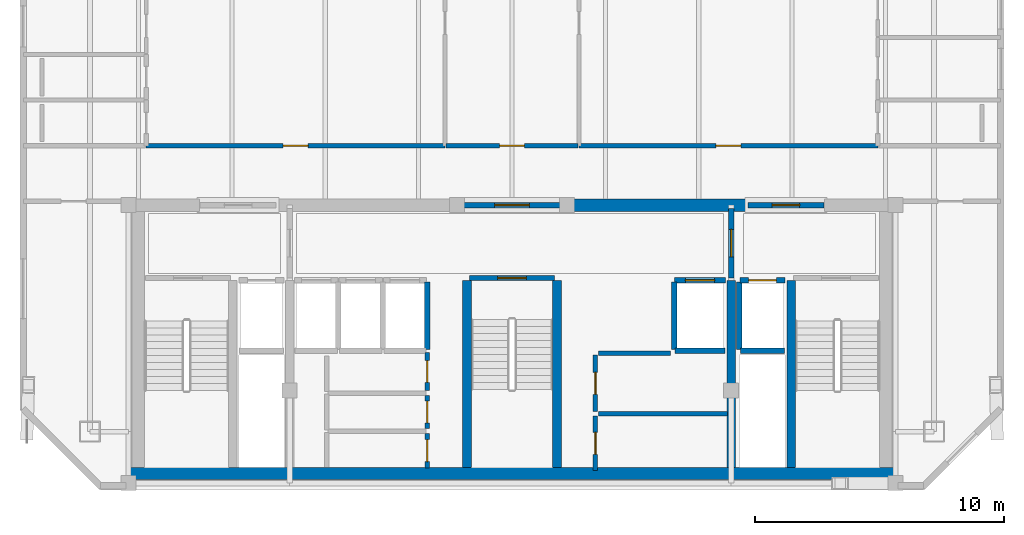
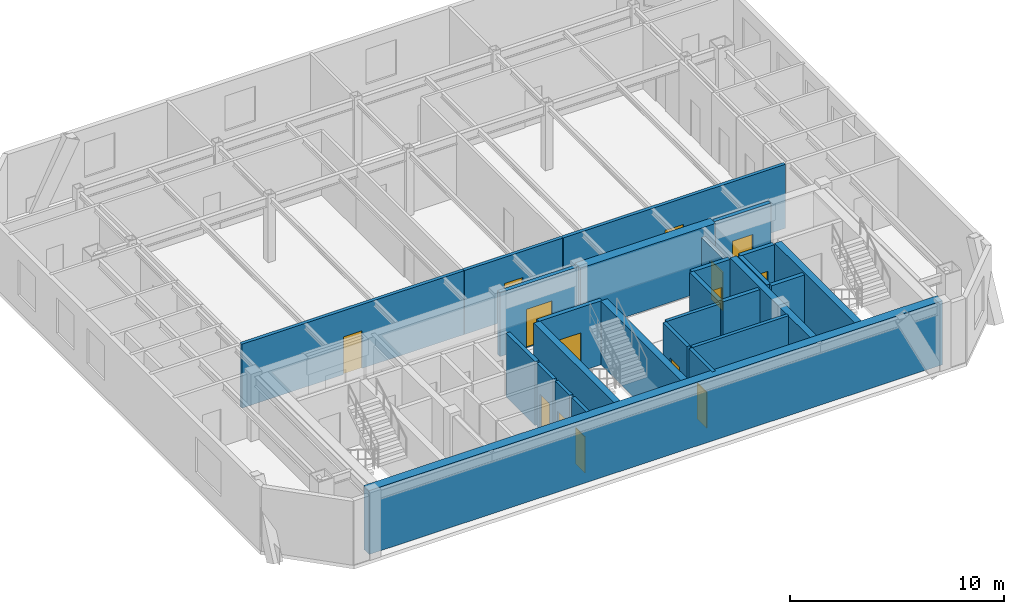
# One storey, part 3 of 7: 27 walls, 14 doors, 14 openings.
"""IFC4 building model written with IfcOpenShell, lengths in metres."""

from ifc_helpers import new_model, si_unit, direction, frame, frame_2d, origin, place, context, subcontext, project, spatial, rectangle, extrude, material, layer, layer_set, type_object, element, fill, save


model = new_model("IFC4")

# Units and contexts
model_context = context("Model", 3, precision=1e-05, world=origin(), true_north=direction((0.0, 1.0)))
body_context = subcontext(model_context, "Body", "Model", "MODEL_VIEW")
ifc_project = project(units=[si_unit("LENGTHUNIT", "METRE"), si_unit("AREAUNIT", "SQUARE_METRE"), si_unit("VOLUMEUNIT", "CUBIC_METRE"), si_unit("PLANEANGLEUNIT", "RADIAN"), si_unit("MASSUNIT", "GRAM", prefix="KILO")], contexts=[model_context])

# Site, building, storey
site_placement = place(None, origin())
site = spatial("IfcSite", under=ifc_project, at=site_placement, CompositionType="ELEMENT")
building_placement = place(site_placement, origin())
building = spatial("IfcBuilding", under=site, at=building_placement, Name="Ventersveld Concourse Tower", CompositionType="ELEMENT")
storey_placement = place(building_placement, frame((0.0, 0.0, 316.89990234375)))
storey = spatial("IfcBuildingStorey", under=building, at=storey_placement, Name="L78", CompositionType="ELEMENT", Elevation=316.89990234375)

# Walls
ifc_material_1 = material(Name="Concrete C50/60", Category="concrete")
ifc_layer_1 = layer(ifc_material_1, 0.35009765625)
ifc_layer_set_1 = layer_set([ifc_layer_1], Name="Concrete C50/60")
wall_type_1 = type_object("IfcWallType", Name="WL-CORE-350U", PredefinedType="SHEAR", material=ifc_layer_set_1)
for number, where, z_axis, x_axis, name in (
    (1, (26.93994140625, 0.919921875, 0.0), (0.0, 0.0, 1.0), (0.0, 1.0, 0.0), "L78 Core Internal Shear Web W-ST3-W"),
    (2, (30.56005859375, 0.919921875, 0.0), (0.0, 0.0, 1.0), (0.0, 1.0, 0.0), "L78 Core Internal Shear Web W-ST3-E"),
    (3, (37.550048828125, 0.919921875, 0.0), (0.0, 0.0, 1.0), (0.0, 1.0, 0.0), "L78 Core Internal Shear Web W-SVL-W"),
    (4, (39.9599609375, 0.919921875, 0.0), (0.0, 0.0, 1.0), (0.0, 1.0, 0.0), "L78 Core Internal Shear Web W-ST2-W"),
):
    element("IfcWall", number, at=place(storey_placement, frame(where, z_axis=z_axis, x_axis=x_axis)), inside=storey, type_object=wall_type_1, Name=name, PredefinedType="SHEAR", context=body_context, shape_type="SweptSolid", body=[
        extrude(rectangle(XDim=7.5, YDim=0.35009765625, at=frame_2d((3.75, 0.0))), origin(), (0.0, 0.0, 1.0), 3.650146484375),
    ])
ifc_layer_2 = layer(ifc_material_1, 0.5)
ifc_layer_set_2 = layer_set([ifc_layer_2], Name="Concrete C50/60")
wall_type_2 = type_object("IfcWallType", Name="WL-CORE-500", PredefinedType="SHEAR", material=ifc_layer_set_2)
wall_1_placement = place(storey_placement, frame((13.25, 0.669921875, 0.0), z_axis=(0.0, 0.0, 1.0), x_axis=(1.0, 0.0, 0.0)))
element("IfcWall", 5, at=wall_1_placement, inside=storey, type_object=wall_type_2, Name="L78 Rear Core South Shear Wall", PredefinedType="SHEAR", context=body_context, shape_type="SweptSolid", body=[
    extrude(rectangle(XDim=31.0, YDim=0.5, at=frame_2d((15.5, 0.0))), origin(), (0.0, 0.0, 1.0), 3.650146484375),
])
wall_2_placement = place(storey_placement, frame((30.89990234375, 11.449951171875, 0.0), z_axis=(0.0, 0.0, 1.0), x_axis=(1.0, 0.0, 0.0)))
element("IfcWall", 6, at=wall_2_placement, inside=storey, type_object=wall_type_2, Name="L78 Rear Core North Shear Wall NMR", PredefinedType="SHEAR", context=body_context, shape_type="SweptSolid", body=[
    extrude(rectangle(XDim=7.300048828125, YDim=0.5, at=frame_2d((3.64990234375, 0.0))), origin(), (0.0, 0.0, 1.0), 3.650146484375),
])

# Wall, opening, door
ifc_material_2 = material(Name="Fire-rated autoclaved aerated masonry blockwork", Category="masonry")
ifc_layer_3 = layer(ifc_material_2, 0.179931640625)
ifc_layer_set_3 = layer_set([ifc_layer_3], Name="Fire-rated autoclaved aerated masonry blockwork")
wall_type_3 = type_object("IfcWallType", Name="WL-CORR-180", PredefinedType="PARTITIONING", material=ifc_layer_set_3)
wall_3_placement = place(storey_placement, frame((25.35009765625, 0.89990234375, 0.0), z_axis=(0.0, 0.0, 1.0), x_axis=(0.0, 1.0, 0.0)))
wall_3 = element("IfcWall", 7, at=wall_3_placement, inside=storey, type_object=wall_type_3, Name="L78 Core Passage Wall SP-L78-RECB1S", PredefinedType="PARTITIONING", context=body_context, shape_type="SweptSolid", body=[
    extrude(rectangle(XDim=1.3701171875, YDim=0.179931640625, at=frame_2d((0.68505859375, 0.0))), origin(), (0.0, 0.0, 1.0), 3.650146484375),
])
opening_1_placement = place(wall_3_placement, frame((0.2451171875, 0.0, 0.0)))
opening_1 = element("IfcOpeningElement", 8, at=opening_1_placement, cuts=wall_3, Name="Opening FD5", PredefinedType="OPENING", context=body_context, shape_type="SweptSolid", body=[
    extrude(rectangle(XDim=0.8798828125, YDim=2.050048828125, at=frame_2d((0.43994140625, 1.02490234375))), frame((0.0, 0.10009765625, 0.0), z_axis=(0.0, -1.0, 0.0), x_axis=(1.0, 0.0, 0.0)), (0.0, 0.0, 1.0), 0.199951171875),
])
ifc_material_3 = material(Name="Galvanised painted steel", Category="steel")
door_type_1 = type_object("IfcDoorType", Name="DR-RISER-088", OperationType="NOTDEFINED", PredefinedType="DOOR", material=ifc_material_3)
door_1_placement = place(opening_1_placement, origin())
door_1 = element("IfcDoor", 9, at=door_1_placement, inside=storey, type_object=door_type_1, Name="L78 Core Room Door L78 Reclaimed Core Wine Cellar Store (CD-L78-3561)", OperationType="SINGLE_SWING_RIGHT", OverallHeight=2.050048828125, OverallWidth=0.8798828125, PredefinedType="DOOR", context=body_context, shape_type="SweptSolid", body=[
    extrude(rectangle(XDim=0.8798828125, YDim=2.050048828125, at=frame_2d((0.43994140625, 1.02490234375))), frame((0.0, 0.02490234375, 0.0), z_axis=(0.0, -1.0, 0.0), x_axis=(1.0, 0.0, 0.0)), (0.0, 0.0, 1.0), 0.050048828125),
])
fill(opening_1, door_1)

wall_4_placement = place(storey_placement, frame((25.35009765625, 2.469970703125, 0.0), z_axis=(0.0, 0.0, 1.0), x_axis=(0.0, 1.0, 0.0)))
wall_4 = element("IfcWall", 10, at=wall_4_placement, inside=storey, type_object=wall_type_3, Name="L78 Core Passage Wall SP-L78-RECB1M", PredefinedType="PARTITIONING", context=body_context, shape_type="SweptSolid", body=[
    extrude(rectangle(XDim=1.340087890625, YDim=0.179931640625, at=frame_2d((0.669921875, 0.0))), origin(), (0.0, 0.0, 1.0), 3.650146484375),
])
opening_2_placement = place(wall_4_placement, frame((0.22998046875, 0.0, 0.0)))
opening_2 = element("IfcOpeningElement", 11, at=opening_2_placement, cuts=wall_4, Name="Opening FD5", PredefinedType="OPENING", context=body_context, shape_type="SweptSolid", body=[
    extrude(rectangle(XDim=0.8798828125, YDim=2.050048828125, at=frame_2d((0.43994140625, 1.02490234375))), frame((0.0, 0.10009765625, 0.0), z_axis=(0.0, -1.0, 0.0), x_axis=(1.0, 0.0, 0.0)), (0.0, 0.0, 1.0), 0.199951171875),
])
door_2_placement = place(opening_2_placement, origin())
door_2 = element("IfcDoor", 12, at=door_2_placement, inside=storey, type_object=door_type_1, Name="L78 Core Room Door L78 Reclaimed Core Archive Store (CD-L78-3562)", OperationType="SINGLE_SWING_LEFT", OverallHeight=2.050048828125, OverallWidth=0.8798828125, PredefinedType="DOOR", context=body_context, shape_type="SweptSolid", body=[
    extrude(rectangle(XDim=0.8798828125, YDim=2.050048828125, at=frame_2d((0.43994140625, 1.02490234375))), frame((0.0, 0.02490234375, 0.0), z_axis=(0.0, -1.0, 0.0), x_axis=(1.0, 0.0, 0.0)), (0.0, 0.0, 1.0), 0.050048828125),
])
fill(opening_2, door_2)

wall_5_placement = place(storey_placement, frame((25.35009765625, 4.010009765625, 0.0), z_axis=(0.0, 0.0, 1.0), x_axis=(0.0, 1.0, 0.0)))
wall_5 = element("IfcWall", 13, at=wall_5_placement, inside=storey, type_object=wall_type_3, Name="L78 Core Passage Wall SP-L78-RECB1N", PredefinedType="PARTITIONING", context=body_context, shape_type="SweptSolid", body=[
    extrude(rectangle(XDim=1.510009765625, YDim=0.179931640625, at=frame_2d((0.7548828125, 0.0))), origin(), (0.0, 0.0, 1.0), 3.650146484375),
])
opening_3_placement = place(wall_5_placement, frame((0.31494140625, 0.0, 0.0)))
opening_3 = element("IfcOpeningElement", 14, at=opening_3_placement, cuts=wall_5, Name="Opening FD5", PredefinedType="OPENING", context=body_context, shape_type="SweptSolid", body=[
    extrude(rectangle(XDim=0.8798828125, YDim=2.050048828125, at=frame_2d((0.43994140625, 1.02490234375))), frame((0.0, 0.10009765625, 0.0), z_axis=(0.0, -1.0, 0.0), x_axis=(1.0, 0.0, 0.0)), (0.0, 0.0, 1.0), 0.199951171875),
])
door_3_placement = place(opening_3_placement, origin())
door_3 = element("IfcDoor", 15, at=door_3_placement, inside=storey, type_object=door_type_1, Name="L78 Core Room Door L78 Reclaimed Core Pram and Cycle Store (CD-L78-3563)", OperationType="SINGLE_SWING_RIGHT", OverallHeight=2.050048828125, OverallWidth=0.8798828125, PredefinedType="DOOR", context=body_context, shape_type="SweptSolid", body=[
    extrude(rectangle(XDim=0.8798828125, YDim=2.050048828125, at=frame_2d((0.43994140625, 1.02490234375))), frame((0.0, 0.02490234375, 0.0), z_axis=(0.0, -1.0, 0.0), x_axis=(1.0, 0.0, 0.0)), (0.0, 0.0, 1.0), 0.050048828125),
])
fill(opening_3, door_3)

wall_6_placement = place(storey_placement, frame((32.10009765625, 0.780029296875, 0.0), z_axis=(0.0, 0.0, 1.0), x_axis=(0.0, 1.0, 0.0)))
wall_6 = element("IfcWall", 16, at=wall_6_placement, inside=storey, type_object=wall_type_3, Name="L78 Core Passage Wall SP-L78-RECB2S", PredefinedType="PARTITIONING", context=body_context, shape_type="SweptSolid", body=[
    extrude(rectangle(XDim=2.199951171875, YDim=0.179931640625, at=frame_2d((1.10009765625, 0.0))), origin(), (0.0, 0.0, 1.0), 3.650146484375),
])
opening_4_placement = place(wall_6_placement, frame((0.659912109375, 0.0, 0.0)))
opening_4 = element("IfcOpeningElement", 17, at=opening_4_placement, cuts=wall_6, Name="Opening FD5", PredefinedType="OPENING", context=body_context, shape_type="SweptSolid", body=[
    extrude(rectangle(XDim=0.8798828125, YDim=2.050048828125, at=frame_2d((0.43994140625, 1.02490234375))), frame((0.0, 0.10009765625, 0.0), z_axis=(0.0, -1.0, 0.0), x_axis=(1.0, 0.0, 0.0)), (0.0, 0.0, 1.0), 0.199951171875),
])
door_4_placement = place(opening_4_placement, origin())
door_4 = element("IfcDoor", 18, at=door_4_placement, inside=storey, type_object=door_type_1, Name="L78 Core Room Door L78 Reclaimed Core Quiet Library Pod (CD-L78-3564)", OperationType="SINGLE_SWING_LEFT", OverallHeight=2.050048828125, OverallWidth=0.8798828125, PredefinedType="DOOR", context=body_context, shape_type="SweptSolid", body=[
    extrude(rectangle(XDim=0.8798828125, YDim=2.050048828125, at=frame_2d((0.43994140625, 1.02490234375))), frame((0.0, 0.02490234375, 0.0), z_axis=(0.0, -1.0, 0.0), x_axis=(1.0, 0.0, 0.0)), (0.0, 0.0, 1.0), 0.050048828125),
])
fill(opening_4, door_4)

# Wall
wall_7_placement = place(storey_placement, frame((32.219970703125, 3.06005859375, 0.0), z_axis=(0.0, 0.0, 1.0), x_axis=(1.0, 0.0, 0.0)))
element("IfcWall", 19, at=wall_7_placement, inside=storey, type_object=wall_type_3, Name="L78 Core Top Wall SP-L78-RECB2S", PredefinedType="PARTITIONING", context=body_context, shape_type="SweptSolid", body=[
    extrude(rectangle(XDim=5.179931640625, YDim=0.179931640625, at=frame_2d((2.58984375, 0.0))), origin(), (0.0, 0.0, 1.0), 3.650146484375),
])

# Wall, opening, door
wall_8_placement = place(storey_placement, frame((32.10009765625, 3.159912109375, 0.0), z_axis=(0.0, 0.0, 1.0), x_axis=(0.0, 1.0, 0.0)))
wall_8 = element("IfcWall", 20, at=wall_8_placement, inside=storey, type_object=wall_type_3, Name="L78 Core Passage Wall SP-L78-RECB2N", PredefinedType="PARTITIONING", context=body_context, shape_type="SweptSolid", body=[
    extrude(rectangle(XDim=2.260009765625, YDim=0.179931640625, at=frame_2d((1.1298828125, 0.0))), origin(), (0.0, 0.0, 1.0), 3.650146484375),
])
opening_5_placement = place(wall_8_placement, frame((0.68994140625, 0.0, 0.0)))
opening_5 = element("IfcOpeningElement", 21, at=opening_5_placement, cuts=wall_8, Name="Opening FD5", PredefinedType="OPENING", context=body_context, shape_type="SweptSolid", body=[
    extrude(rectangle(XDim=0.8798828125, YDim=2.050048828125, at=frame_2d((0.43994140625, 1.02490234375))), frame((0.0, 0.10009765625, 0.0), z_axis=(0.0, -1.0, 0.0), x_axis=(1.0, 0.0, 0.0)), (0.0, 0.0, 1.0), 0.199951171875),
])
door_5_placement = place(opening_5_placement, origin())
door_5 = element("IfcDoor", 22, at=door_5_placement, inside=storey, type_object=door_type_1, Name="L78 Core Room Door L78 Reclaimed Core Music Practice Room (CD-L78-3565)", OperationType="SINGLE_SWING_RIGHT", OverallHeight=2.050048828125, OverallWidth=0.8798828125, PredefinedType="DOOR", context=body_context, shape_type="SweptSolid", body=[
    extrude(rectangle(XDim=0.8798828125, YDim=2.050048828125, at=frame_2d((0.43994140625, 1.02490234375))), frame((0.0, 0.02490234375, 0.0), z_axis=(0.0, -1.0, 0.0), x_axis=(1.0, 0.0, 0.0)), (0.0, 0.0, 1.0), 0.050048828125),
])
fill(opening_5, door_5)

# Wall
wall_9_placement = place(storey_placement, frame((32.219970703125, 5.5, 0.0), z_axis=(0.0, 0.0, 1.0), x_axis=(1.0, 0.0, 0.0)))
element("IfcWall", 23, at=wall_9_placement, inside=storey, type_object=wall_type_3, Name="L78 Core Top Wall SP-L78-RECB2N", PredefinedType="PARTITIONING", context=body_context, shape_type="SweptSolid", body=[
    extrude(rectangle(XDim=2.900146484375, YDim=0.179931640625, at=frame_2d((1.4501953125, 0.0))), origin(), (0.0, 0.0, 1.0), 3.650146484375),
])

# Wall, opening, door
wall_10_placement = place(storey_placement, frame((14.05810546875, 13.830078125, 0.0), z_axis=(0.0, 0.0, 1.0), x_axis=(1.0, 0.0, 0.0)))
wall_10 = element("IfcWall", 24, at=wall_10_placement, inside=storey, type_object=wall_type_3, Name="L78 Interior Partition SP-L78-COR-SP-L78-78N1-WGAL1", PredefinedType="PARTITIONING", context=body_context, shape_type="SweptSolid", body=[
    extrude(rectangle(XDim=12.0068359375, YDim=0.179931640625, at=frame_2d((6.00341796875, 0.0))), origin(), (0.0, 0.0, 1.0), 3.650146484375),
])
opening_6_placement = place(wall_10_placement, frame((5.50341796875, 0.0, 0.0)))
opening_6 = element("IfcOpeningElement", 25, at=opening_6_placement, cuts=wall_10, Name="Opening FD3", PredefinedType="OPENING", context=body_context, shape_type="SweptSolid", body=[
    extrude(rectangle(XDim=1.0, YDim=2.14990234375, at=frame_2d((0.5, 1.074951171875))), frame((0.0, 0.10009765625, 0.0), z_axis=(0.0, -1.0, 0.0), x_axis=(1.0, 0.0, 0.0)), (0.0, 0.0, 1.0), 0.199951171875),
])
ifc_material_4 = material(Name="Solid-core hardwood veneer timber", Category="wood")
door_type_2 = type_object("IfcDoorType", Name="DR-FLAT-100", OperationType="NOTDEFINED", PredefinedType="DOOR", material=ifc_material_4)
door_6_placement = place(opening_6_placement, origin())
door_6 = element("IfcDoor", 26, at=door_6_placement, inside=storey, type_object=door_type_2, Name="L78 Interior Door SP-L78-COR to SP-L78-78N1-WGAL1 (FD-L78-3568)", OperationType="SINGLE_SWING_RIGHT", OverallHeight=2.14990234375, OverallWidth=1.0, PredefinedType="DOOR", context=body_context, shape_type="SweptSolid", body=[
    extrude(rectangle(XDim=1.0, YDim=2.14990234375, at=frame_2d((0.5, 1.074951171875))), frame((0.0, 0.02490234375, 0.0), z_axis=(0.0, -1.0, 0.0), x_axis=(1.0, 0.0, 0.0)), (0.0, 0.0, 1.0), 0.050048828125),
])
fill(opening_6, door_6)

wall_11_placement = place(storey_placement, frame((31.43505859375, 13.830078125, 0.0), z_axis=(0.0, 0.0, 1.0), x_axis=(1.0, 0.0, 0.0)))
wall_11 = element("IfcWall", 27, at=wall_11_placement, inside=storey, type_object=wall_type_3, Name="L78 Interior Partition SP-L78-COR-SP-L78-78N1-EGAL1", PredefinedType="PARTITIONING", context=body_context, shape_type="SweptSolid", body=[
    extrude(rectangle(XDim=12.0068359375, YDim=0.179931640625, at=frame_2d((6.00341796875, 0.0))), origin(), (0.0, 0.0, 1.0), 3.650146484375),
])
opening_7_placement = place(wall_11_placement, frame((5.50341796875, 0.0, 0.0)))
opening_7 = element("IfcOpeningElement", 28, at=opening_7_placement, cuts=wall_11, Name="Opening FD3", PredefinedType="OPENING", context=body_context, shape_type="SweptSolid", body=[
    extrude(rectangle(XDim=1.0, YDim=2.14990234375, at=frame_2d((0.5, 1.074951171875))), frame((0.0, 0.10009765625, 0.0), z_axis=(0.0, -1.0, 0.0), x_axis=(1.0, 0.0, 0.0)), (0.0, 0.0, 1.0), 0.199951171875),
])
door_7_placement = place(opening_7_placement, origin())
door_7 = element("IfcDoor", 29, at=door_7_placement, inside=storey, type_object=door_type_2, Name="L78 Interior Door SP-L78-COR to SP-L78-78N1-EGAL1 (FD-L78-3569)", OperationType="SINGLE_SWING_LEFT", OverallHeight=2.14990234375, OverallWidth=1.0, PredefinedType="DOOR", context=body_context, shape_type="SweptSolid", body=[
    extrude(rectangle(XDim=1.0, YDim=2.14990234375, at=frame_2d((0.5, 1.074951171875))), frame((0.0, 0.02490234375, 0.0), z_axis=(0.0, -1.0, 0.0), x_axis=(1.0, 0.0, 0.0)), (0.0, 0.0, 1.0), 0.050048828125),
])
fill(opening_7, door_7)

wall_12_placement = place(storey_placement, frame((26.094970703125, 13.830078125, 0.0), z_axis=(0.0, 0.0, 1.0), x_axis=(1.0, 0.0, 0.0)))
wall_12 = element("IfcWall", 30, at=wall_12_placement, inside=storey, type_object=wall_type_3, Name="L78 Interior Partition SP-L78-COR-SP-L78-78N1-FOY", PredefinedType="PARTITIONING", context=body_context, shape_type="SweptSolid", body=[
    extrude(rectangle(XDim=5.31005859375, YDim=0.179931640625, at=frame_2d((2.655029296875, 0.0))), origin(), (0.0, 0.0, 1.0), 3.650146484375),
])
opening_8_placement = place(wall_12_placement, frame((2.155029296875, 0.0, 0.0)))
opening_8 = element("IfcOpeningElement", 31, at=opening_8_placement, cuts=wall_12, Name="Opening FD3", PredefinedType="OPENING", context=body_context, shape_type="SweptSolid", body=[
    extrude(rectangle(XDim=1.0, YDim=2.14990234375, at=frame_2d((0.5, 1.074951171875))), frame((0.0, 0.10009765625, 0.0), z_axis=(0.0, -1.0, 0.0), x_axis=(1.0, 0.0, 0.0)), (0.0, 0.0, 1.0), 0.199951171875),
])
door_8_placement = place(opening_8_placement, origin())
door_8 = element("IfcDoor", 32, at=door_8_placement, inside=storey, type_object=door_type_2, Name="L78 Interior Door SP-L78-COR to SP-L78-78N1-FOY (FD-L78-3570)", OperationType="SINGLE_SWING_RIGHT", OverallHeight=2.14990234375, OverallWidth=1.0, PredefinedType="DOOR", context=body_context, shape_type="SweptSolid", body=[
    extrude(rectangle(XDim=1.0, YDim=2.14990234375, at=frame_2d((0.5, 1.074951171875))), frame((0.0, 0.02490234375, 0.0), z_axis=(0.0, -1.0, 0.0), x_axis=(1.0, 0.0, 0.0)), (0.0, 0.0, 1.0), 0.050048828125),
])
fill(opening_8, door_8)

# Walls
ifc_layer_4 = layer(ifc_material_2, 0.219970703125)
ifc_layer_set_4 = layer_set([ifc_layer_4], Name="Fire-rated autoclaved aerated masonry blockwork")
wall_type_4 = type_object("IfcWallType", Name="WL-HOIST-220", PredefinedType="SOLIDWALL", material=ifc_layer_set_4)
wall_13_placement = place(storey_placement, frame((37.919921875, 5.590087890625, 0.0), z_axis=(0.0, 0.0, 1.0), x_axis=(1.0, 0.0, 0.0)))
element("IfcWall", 33, at=wall_13_placement, inside=storey, type_object=wall_type_4, Name="L78 Lift Hoistway Back Wall FFL-02", PredefinedType="SOLIDWALL", context=body_context, shape_type="SweptSolid", body=[
    extrude(rectangle(XDim=1.780029296875, YDim=0.219970703125, at=frame_2d((0.89013671875, 0.0))), origin(), (0.0, 0.0, 1.0), 3.650146484375),
])
wall_14_placement = place(storey_placement, frame((37.8798828125, 5.64990234375, 0.0), z_axis=(0.0, 0.0, 1.0), x_axis=(0.0, 1.0, 0.0)))
element("IfcWall", 34, at=wall_14_placement, inside=storey, type_object=wall_type_4, Name="L78 Lift Hoistway Side Wall FFL-02W", PredefinedType="SOLIDWALL", context=body_context, shape_type="SweptSolid", body=[
    extrude(rectangle(XDim=2.7001953125, YDim=0.219970703125, at=frame_2d((1.35009765625, 0.0))), origin(), (0.0, 0.0, 1.0), 3.650146484375),
])

# Wall, opening, door
wall_15_placement = place(storey_placement, frame((37.89990234375, 8.429931640625, 0.0), z_axis=(0.0, 0.0, 1.0), x_axis=(1.0, 0.0, 0.0)))
wall_15 = element("IfcWall", 35, at=wall_15_placement, inside=storey, type_object=wall_type_4, Name="L78 Lift Hoistway Front Wall FFL-02", PredefinedType="SOLIDWALL", context=body_context, shape_type="SweptSolid", body=[
    extrude(rectangle(XDim=1.820068359375, YDim=0.219970703125, at=frame_2d((0.91015625, 0.0))), origin(), (0.0, 0.0, 1.0), 3.650146484375),
])
opening_9_placement = place(wall_15_placement, frame((0.35009765625, 0.0, 0.0)))
opening_9 = element("IfcOpeningElement", 36, at=opening_9_placement, cuts=wall_15, Name="Opening LD1", PredefinedType="OPENING", context=body_context, shape_type="SweptSolid", body=[
    extrude(rectangle(XDim=1.1201171875, YDim=2.25, at=frame_2d((0.56005859375, 1.125))), frame((0.0, 0.1201171875, 0.0), z_axis=(0.0, -1.0, 0.0), x_axis=(1.0, 0.0, 0.0)), (0.0, 0.0, 1.0), 0.239990234375),
])
ifc_material_5 = material(Name="Brushed stainless steel 316", Category="steel")
door_type_3 = type_object("IfcDoorType", Name="LD-FF-112", OperationType="SLIDING_TO_LEFT", PredefinedType="DOOR", material=ifc_material_5)
door_9_placement = place(opening_9_placement, origin())
door_9 = element("IfcDoor", 37, at=door_9_placement, inside=storey, type_object=door_type_3, Name="L78 Lift landing door FFL-02 (LD-L78-FFL-02)", OperationType="SLIDING_TO_LEFT", OverallHeight=2.25, OverallWidth=1.1201171875, PredefinedType="DOOR", context=body_context, shape_type="SweptSolid", body=[
    extrude(rectangle(XDim=1.1201171875, YDim=2.25, at=frame_2d((0.56005859375, 1.125))), frame((0.0, 0.02490234375, 0.0), z_axis=(0.0, -1.0, 0.0), x_axis=(1.0, 0.0, 0.0)), (0.0, 0.0, 1.0), 0.050048828125),
])
fill(opening_9, door_9)

# Walls
wall_16_placement = place(storey_placement, frame((35.300048828125, 5.590087890625, 0.0), z_axis=(0.0, 0.0, 1.0), x_axis=(1.0, 0.0, 0.0)))
element("IfcWall", 38, at=wall_16_placement, inside=storey, type_object=wall_type_4, Name="L78 Lift Hoistway Back Wall SVL-01", PredefinedType="SOLIDWALL", context=body_context, shape_type="SweptSolid", body=[
    extrude(rectangle(XDim=2.0, YDim=0.219970703125, at=frame_2d((1.0, 0.0))), origin(), (0.0, 0.0, 1.0), 3.650146484375),
])
wall_17_placement = place(storey_placement, frame((35.260009765625, 5.64990234375, 0.0), z_axis=(0.0, 0.0, 1.0), x_axis=(0.0, 1.0, 0.0)))
element("IfcWall", 39, at=wall_17_placement, inside=storey, type_object=wall_type_4, Name="L78 Lift Hoistway Side Wall SVL-01W", PredefinedType="SOLIDWALL", context=body_context, shape_type="SweptSolid", body=[
    extrude(rectangle(XDim=2.7001953125, YDim=0.219970703125, at=frame_2d((1.35009765625, 0.0))), origin(), (0.0, 0.0, 1.0), 3.650146484375),
])

# Wall, opening, door
wall_18_placement = place(storey_placement, frame((35.280029296875, 8.429931640625, 0.0), z_axis=(0.0, 0.0, 1.0), x_axis=(1.0, 0.0, 0.0)))
wall_18 = element("IfcWall", 40, at=wall_18_placement, inside=storey, type_object=wall_type_4, Name="L78 Lift Hoistway Front Wall SVL-01", PredefinedType="SOLIDWALL", context=body_context, shape_type="SweptSolid", body=[
    extrude(rectangle(XDim=2.0400390625, YDim=0.219970703125, at=frame_2d((1.02001953125, 0.0))), origin(), (0.0, 0.0, 1.0), 3.650146484375),
])
opening_10_placement = place(wall_18_placement, frame((0.429931640625, 0.0, 0.0)))
opening_10 = element("IfcOpeningElement", 41, at=opening_10_placement, cuts=wall_18, Name="Opening LD2", PredefinedType="OPENING", context=body_context, shape_type="SweptSolid", body=[
    extrude(rectangle(XDim=1.179931640625, YDim=2.199951171875, at=frame_2d((0.58984375, 1.10009765625))), frame((0.0, 0.1201171875, 0.0), z_axis=(0.0, -1.0, 0.0), x_axis=(1.0, 0.0, 0.0)), (0.0, 0.0, 1.0), 0.239990234375),
])
door_type_4 = type_object("IfcDoorType", Name="LD-PAX-118", OperationType="SLIDING_TO_LEFT", PredefinedType="DOOR", material=ifc_material_5)
door_10_placement = place(opening_10_placement, origin())
door_10 = element("IfcDoor", 42, at=door_10_placement, inside=storey, type_object=door_type_4, Name="L78 Lift landing door SVL-01 (LD-L78-SVL-01)", OperationType="SLIDING_TO_RIGHT", OverallHeight=2.199951171875, OverallWidth=1.179931640625, PredefinedType="DOOR", context=body_context, shape_type="SweptSolid", body=[
    extrude(rectangle(XDim=1.179931640625, YDim=2.199951171875, at=frame_2d((0.58984375, 1.10009765625))), frame((0.0, 0.02490234375, 0.0), z_axis=(0.0, -1.0, 0.0), x_axis=(1.0, 0.0, 0.0)), (0.0, 0.0, 1.0), 0.050048828125),
])
fill(opening_10, door_10)

# Wall
wall_19_placement = place(storey_placement, frame((25.340087890625, 5.64990234375, 0.0), z_axis=(0.0, 0.0, 1.0), x_axis=(0.0, 1.0, 0.0)))
element("IfcWall", 43, at=wall_19_placement, inside=storey, type_object=wall_type_4, Name="L78 Lift Hoistway Side Wall PH-03E", PredefinedType="SOLIDWALL", context=body_context, shape_type="SweptSolid", body=[
    extrude(rectangle(XDim=2.7001953125, YDim=0.219970703125, at=frame_2d((1.35009765625, 0.0))), origin(), (0.0, 0.0, 1.0), 3.650146484375),
])

# Wall, opening, door
wall_20_placement = place(storey_placement, frame((27.0400390625, 8.52001953125, 0.0), z_axis=(0.0, 0.0, 1.0), x_axis=(1.0, 0.0, 0.0)))
wall_20 = element("IfcWall", 44, at=wall_20_placement, inside=storey, type_object=wall_type_4, Name="L78 Escape Stair ST03 Fire Wall", PredefinedType="SOLIDWALL", context=body_context, shape_type="SweptSolid", body=[
    extrude(rectangle(XDim=3.419921875, YDim=0.219970703125, at=frame_2d((1.7099609375, 0.0))), origin(), (0.0, 0.0, 1.0), 3.650146484375),
])
opening_11_placement = place(wall_20_placement, frame((1.135009765625, 0.0, 0.0)))
opening_11 = element("IfcOpeningElement", 45, at=opening_11_placement, cuts=wall_20, Name="Opening FD1", PredefinedType="OPENING", context=body_context, shape_type="SweptSolid", body=[
    extrude(rectangle(XDim=1.14990234375, YDim=2.199951171875, at=frame_2d((0.574951171875, 1.10009765625))), frame((0.0, 0.1201171875, 0.0), z_axis=(0.0, -1.0, 0.0), x_axis=(1.0, 0.0, 0.0)), (0.0, 0.0, 1.0), 0.239990234375),
])
door_type_5 = type_object("IfcDoorType", Name="DR-STAIR-115", OperationType="NOTDEFINED", PredefinedType="DOOR", material=ifc_material_3)
door_11_placement = place(opening_11_placement, origin())
door_11 = element("IfcDoor", 46, at=door_11_placement, inside=storey, type_object=door_type_5, Name="L78 Escape Stair Door ST03 (SD-L78-3555)", OperationType="SINGLE_SWING_LEFT", OverallHeight=2.199951171875, OverallWidth=1.14990234375, PredefinedType="DOOR", context=body_context, shape_type="SweptSolid", body=[
    extrude(rectangle(XDim=1.14990234375, YDim=2.199951171875, at=frame_2d((0.574951171875, 1.10009765625))), frame((0.0, 0.02490234375, 0.0), z_axis=(0.0, -1.0, 0.0), x_axis=(1.0, 0.0, 0.0)), (0.0, 0.0, 1.0), 0.050048828125),
])
fill(opening_11, door_11)

wall_21_placement = place(storey_placement, frame((37.550048828125, 8.52001953125, 0.0), z_axis=(0.0, 0.0, 1.0), x_axis=(0.0, 1.0, 0.0)))
wall_21 = element("IfcWall", 47, at=wall_21_placement, inside=storey, type_object=wall_type_4, Name="L78 Firefighting Lobby Smoke-Stop Wall FFLE-SEP", PredefinedType="SOLIDWALL", context=body_context, shape_type="SweptSolid", body=[
    extrude(rectangle(XDim=2.800048828125, YDim=0.219970703125, at=frame_2d((1.39990234375, 0.0))), origin(), (0.0, 0.0, 1.0), 3.105712890625),
])
opening_12_placement = place(wall_21_placement, frame((0.85009765625, 0.0, 0.0)))
opening_12 = element("IfcOpeningElement", 48, at=opening_12_placement, cuts=wall_21, Name="Opening FD2", PredefinedType="OPENING", context=body_context, shape_type="SweptSolid", body=[
    extrude(rectangle(XDim=1.10009765625, YDim=2.199951171875, at=frame_2d((0.550048828125, 1.10009765625))), frame((0.0, 0.1201171875, 0.0), z_axis=(0.0, -1.0, 0.0), x_axis=(1.0, 0.0, 0.0)), (0.0, 0.0, 1.0), 0.239990234375),
])
door_type_6 = type_object("IfcDoorType", Name="DR-FFL-110", OperationType="NOTDEFINED", PredefinedType="DOOR", material=ifc_material_3)
door_12_placement = place(opening_12_placement, origin())
door_12 = element("IfcDoor", 49, at=door_12_placement, inside=storey, type_object=door_type_6, Name="L78 Firefighting Lobby Door FFLE-SEP (FD-L78-3557)", OperationType="SINGLE_SWING_RIGHT", OverallHeight=2.199951171875, OverallWidth=1.10009765625, PredefinedType="DOOR", context=body_context, shape_type="SweptSolid", body=[
    extrude(rectangle(XDim=1.10009765625, YDim=2.199951171875, at=frame_2d((0.550048828125, 1.10009765625))), frame((0.0, 0.02490234375, 0.0), z_axis=(0.0, -1.0, 0.0), x_axis=(1.0, 0.0, 0.0)), (0.0, 0.0, 1.0), 0.050048828125),
])
fill(opening_12, door_12)

wall_22_placement = place(storey_placement, frame((26.6298828125, 11.449951171875, 0.0), z_axis=(0.0, 0.0, 1.0), x_axis=(1.0, 0.0, 0.0)))
wall_22 = element("IfcWall", 50, at=wall_22_placement, inside=storey, type_object=wall_type_4, Name="L78 Core North Fire Portal PLOB-OUT", PredefinedType="SOLIDWALL", context=body_context, shape_type="SweptSolid", body=[
    extrude(rectangle(XDim=4.240234375, YDim=0.219970703125, at=frame_2d((2.1201171875, 0.0))), origin(), (0.0, 0.0, 1.0), 3.650146484375),
])
opening_13_placement = place(wall_22_placement, frame((1.419921875, 0.0, 0.0)))
opening_13 = element("IfcOpeningElement", 51, at=opening_13_placement, cuts=wall_22, Name="Opening FD4", PredefinedType="OPENING", context=body_context, shape_type="SweptSolid", body=[
    extrude(rectangle(XDim=1.39990234375, YDim=2.199951171875, at=frame_2d((0.699951171875, 1.10009765625))), frame((0.0, 0.1201171875, 0.0), z_axis=(0.0, -1.0, 0.0), x_axis=(1.0, 0.0, 0.0)), (0.0, 0.0, 1.0), 0.239990234375),
])
door_type_7 = type_object("IfcDoorType", Name="DR-PLANT-140", OperationType="DOUBLE_DOOR_SINGLE_SWING", PredefinedType="DOOR", material=ifc_material_3)
door_13_placement = place(opening_13_placement, origin())
door_13 = element("IfcDoor", 52, at=door_13_placement, inside=storey, type_object=door_type_7, Name="L78 Core Lobby Fire Door PLOB-OUT (FD-L78-3559)", OperationType="DOUBLE_DOOR_SINGLE_SWING", OverallHeight=2.199951171875, OverallWidth=1.39990234375, PredefinedType="DOOR", context=body_context, shape_type="SweptSolid", body=[
    extrude(rectangle(XDim=1.39990234375, YDim=2.199951171875, at=frame_2d((0.699951171875, 1.10009765625))), frame((0.0, 0.02490234375, 0.0), z_axis=(0.0, -1.0, 0.0), x_axis=(1.0, 0.0, 0.0)), (0.0, 0.0, 1.0), 0.050048828125),
])
fill(opening_13, door_13)

wall_23_placement = place(storey_placement, frame((38.22998046875, 11.449951171875, 0.0), z_axis=(0.0, 0.0, 1.0), x_axis=(1.0, 0.0, 0.0)))
wall_23 = element("IfcWall", 53, at=wall_23_placement, inside=storey, type_object=wall_type_4, Name="L78 Core North Fire Portal FFLE-OUT", PredefinedType="SOLIDWALL", context=body_context, shape_type="SweptSolid", body=[
    extrude(rectangle(XDim=3.0400390625, YDim=0.219970703125, at=frame_2d((1.52001953125, 0.0))), origin(), (0.0, 0.0, 1.0), 3.650146484375),
])
opening_14_placement = place(wall_23_placement, frame((0.969970703125, 0.0, 0.0)))
opening_14 = element("IfcOpeningElement", 54, at=opening_14_placement, cuts=wall_23, Name="Opening FD2", PredefinedType="OPENING", context=body_context, shape_type="SweptSolid", body=[
    extrude(rectangle(XDim=1.10009765625, YDim=2.199951171875, at=frame_2d((0.550048828125, 1.10009765625))), frame((0.0, 0.1201171875, 0.0), z_axis=(0.0, -1.0, 0.0), x_axis=(1.0, 0.0, 0.0)), (0.0, 0.0, 1.0), 0.239990234375),
])
door_14_placement = place(opening_14_placement, origin())
door_14 = element("IfcDoor", 55, at=door_14_placement, inside=storey, type_object=door_type_6, Name="L78 Core Lobby Fire Door FFLE-OUT (FD-L78-3560)", OperationType="SINGLE_SWING_LEFT", OverallHeight=2.199951171875, OverallWidth=1.10009765625, PredefinedType="DOOR", context=body_context, shape_type="SweptSolid", body=[
    extrude(rectangle(XDim=1.10009765625, YDim=2.199951171875, at=frame_2d((0.550048828125, 1.10009765625))), frame((0.0, 0.02490234375, 0.0), z_axis=(0.0, -1.0, 0.0), x_axis=(1.0, 0.0, 0.0)), (0.0, 0.0, 1.0), 0.050048828125),
])
fill(opening_14, door_14)

save(model, "model.ifc")
